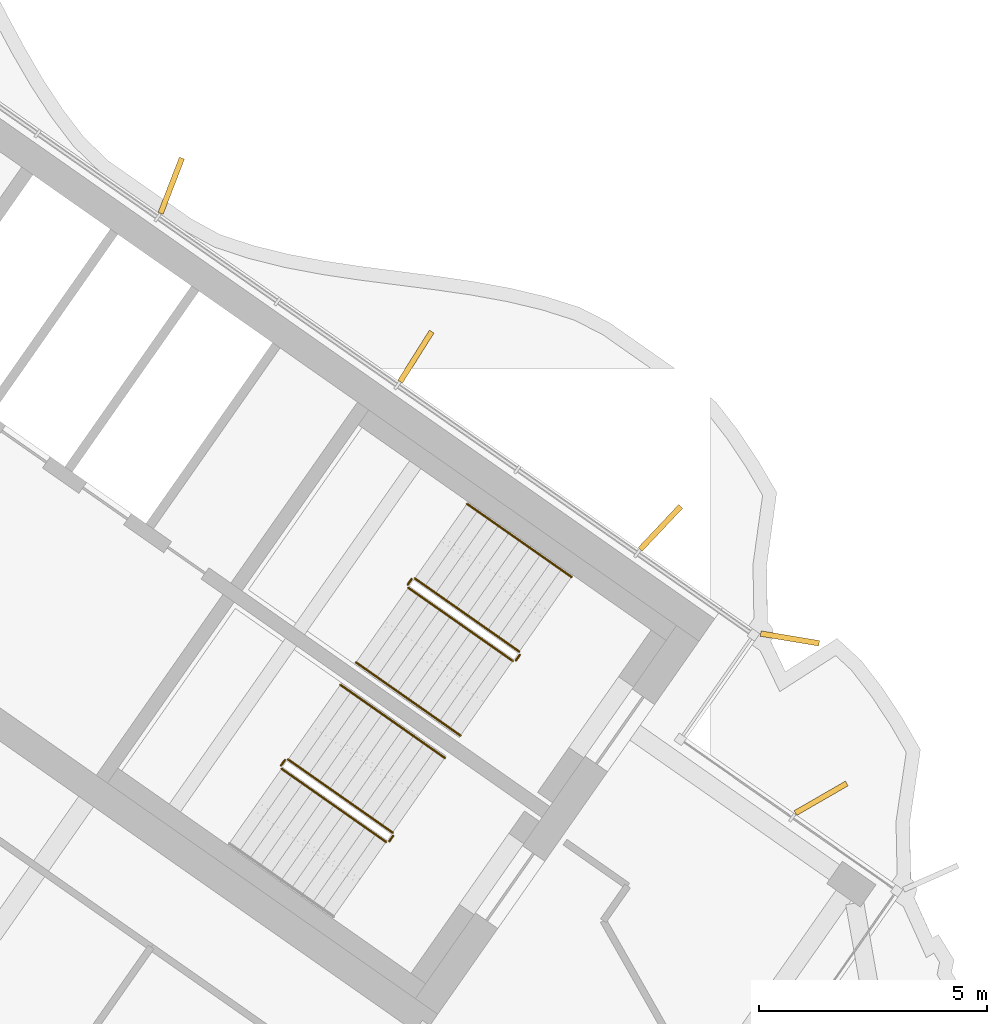
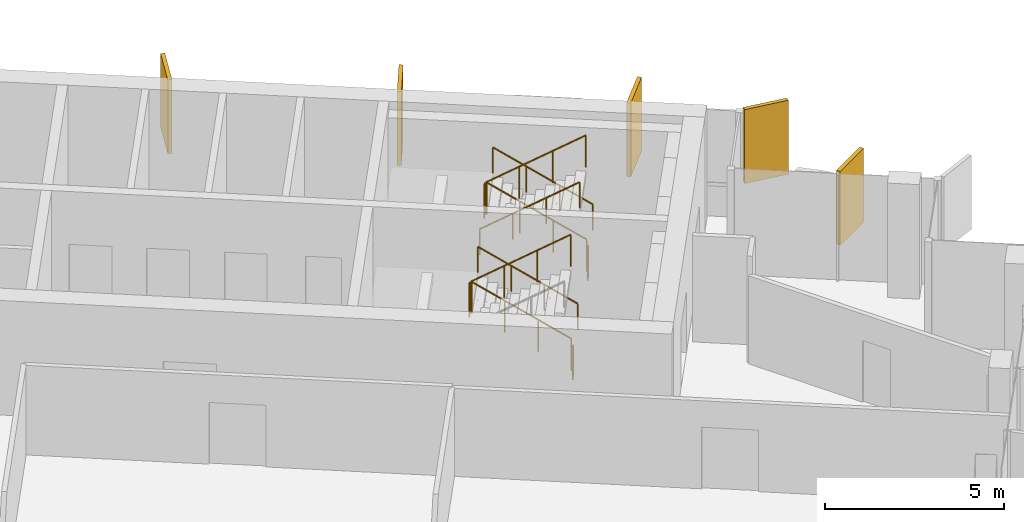
# One storey, part 18 of 19: 11 railings, 5 shading devices.
"""IFC4 building model written with IfcOpenShell, lengths in metres."""

from ifc_helpers import new_model, si_unit, direction, frame, origin, origin_2d, place, context, subcontext, project, spatial, rectangle, circle, extrude, material, layer, layer_set, type_object, element, save


model = new_model("IFC4")

# Units and contexts
model_context = context("Model", 3, precision=1e-05, world=origin(), true_north=direction((0.0, 1.0)))
body_context = subcontext(model_context, "Body", "Model", "MODEL_VIEW")
ifc_project = project(units=[si_unit("LENGTHUNIT", "METRE"), si_unit("AREAUNIT", "SQUARE_METRE"), si_unit("VOLUMEUNIT", "CUBIC_METRE"), si_unit("PLANEANGLEUNIT", "RADIAN"), si_unit("MASSUNIT", "GRAM", prefix="KILO")], contexts=[model_context])

# Site, building, storey
site_placement = place(None, origin())
site = spatial("IfcSite", under=ifc_project, at=site_placement, CompositionType="ELEMENT")
building_placement = place(site_placement, origin())
building = spatial("IfcBuilding", under=site, at=building_placement, Name="Tel Ilan Convention Tower", CompositionType="ELEMENT")
storey_placement = place(building_placement, frame((0.0, 0.0, 241.0)))
storey = spatial("IfcBuildingStorey", under=building, at=storey_placement, Name="L56", CompositionType="ELEMENT", Elevation=241.0)

# Shading devices
ifc_material_1 = material(Name="Aluminium, bronze anodised", Category="aluminium")
ifc_layer = layer(ifc_material_1, 0.1201171875)
ifc_layer_set = layer_set([ifc_layer], Name="FIN BRONZE 1300x120")
shading_device_type = type_object("IfcShadingDeviceType", Name="FIN BRONZE 1300x120", PredefinedType="USERDEFINED", material=ifc_layer_set)
for number, where, z_axis, x_axis, name in (
    (1, (29.619140625, -7.562255859375, 1.10009765625), (0.0, 0.0, 1.0), (0.986445172547, -0.16409119891, 0.0), "FIN"),
    (2, (26.77685546875, -5.13623046875, 1.10009765625), (0.0, 0.0, 1.0), (0.686241637865, 0.727373641577, 0.0), "FIN"),
    (3, (21.408935546875, -1.376953125, 1.10009765625), (0.0, 0.0, 1.0), (0.533204432798, 0.845986425922, 0.0), "FIN"),
    (4, (16.037841796875, 2.375732421875, 1.10009765625), (0.0, 0.0, 1.0), (0.360177724803, 0.932883704733, 0.0), "FIN"),
    (5, (30.305419921875, -11.07080078125, 1.10009765625), (0.0, 0.0, 1.0), (0.866025403784, 0.5, 0.0), "FIN"),
):
    element("IfcShadingDevice", number, at=place(storey_placement, frame(where, z_axis=z_axis, x_axis=x_axis)), inside=storey, type_object=shading_device_type, Name=name, ObjectType="FIN", PredefinedType="USERDEFINED", context=body_context, shape_type="SweptSolid", body=[
        extrude(rectangle(XDim=1.300048828125, YDim=0.1201171875, at=origin_2d()), origin(), (0.0, 0.0, 1.0), 2.52001953125),
    ])

# Railings
ifc_material_2 = material(Name="Stainless Steel Grade 316", Category="steel")
railing_type_1 = type_object("IfcRailingType", Name="Stainless Steel Stair Guard 1100 mm", PredefinedType="GUARDRAIL", material=ifc_material_2)
railing_1_placement = place(storey_placement, frame((23.6787109375, -7.8515625, 0.17724609375)))
element("IfcRailing", 6, at=railing_1_placement, inside=storey, type_object=railing_type_1, Name="L56 S3 stair guard 1", PredefinedType="GUARDRAIL", context=body_context, shape_type="SweptSolid", body=[
    extrude(circle(Radius=0.02392578125, at=origin_2d()), frame((0.0, 0.0, 1.076171875), z_axis=(-0.692084706163, 0.484621375041, 0.534940073605), x_axis=(-0.573591086599, -0.819141785879, 0.0)), (0.0, 0.0, 1.0), 3.313720703125),
    extrude(circle(Radius=0.02099609375, at=origin_2d()), origin(), (0.0, 0.0, 1.0), 1.052001953125),
    extrude(circle(Radius=0.02099609375, at=origin_2d()), frame((-0.764404296875, 0.535400390625, 0.5908203125)), (0.0, 0.0, 1.0), 1.052001953125),
    extrude(circle(Radius=0.02099609375, at=origin_2d()), frame((-1.529052734375, 1.070556640625, 1.181884765625)), (0.0, 0.0, 1.0), 1.052001953125),
    extrude(circle(Radius=0.02099609375, at=origin_2d()), frame((-2.29345703125, 1.60595703125, 1.772705078125)), (0.0, 0.0, 1.0), 1.052001953125),
])
railing_2_placement = place(storey_placement, frame((21.3154296875, -6.2578125, 1.949951171875)))
element("IfcRailing", 7, at=railing_2_placement, inside=storey, type_object=railing_type_1, Name="L56 S3 stair guard 2", PredefinedType="GUARDRAIL", context=body_context, shape_type="SweptSolid", body=[
    extrude(circle(Radius=0.02392578125, at=origin_2d()), frame((0.0, 0.0, 1.076171875), z_axis=(-0.573353020881, -0.819308436089, 0.0), x_axis=(0.819308436089, -0.573353020881, 0.0)), (0.0, 0.0, 1.0), 0.14990234375),
    extrude(circle(Radius=0.02099609375, at=origin_2d()), origin(), (0.0, 0.0, 1.0), 1.052001953125),
    extrude(circle(Radius=0.02099609375, at=origin_2d()), frame((-0.0859375, -0.122802734375, 0.0)), (0.0, 0.0, 1.0), 1.052001953125),
])
railing_3_placement = place(storey_placement, frame((21.24169921875, -6.4501953125, 2.127197265625)))
element("IfcRailing", 8, at=railing_3_placement, inside=storey, type_object=railing_type_1, Name="L56 S3 stair guard 3", PredefinedType="GUARDRAIL", context=body_context, shape_type="SweptSolid", body=[
    extrude(circle(Radius=0.02392578125, at=origin_2d()), frame((0.0, 0.0, 1.076171875), z_axis=(0.692098378994, -0.484653031975, 0.534893701956), x_axis=(0.573608623498, 0.819129505664, 0.0)), (0.0, 0.0, 1.0), 3.314208984375),
    extrude(circle(Radius=0.02099609375, at=origin_2d()), origin(), (0.0, 0.0, 1.0), 1.052001953125),
    extrude(circle(Radius=0.02099609375, at=origin_2d()), frame((0.7646484375, -0.535400390625, 0.5908203125)), (0.0, 0.0, 1.0), 1.052001953125),
    extrude(circle(Radius=0.02099609375, at=origin_2d()), frame((1.529052734375, -1.07080078125, 1.181884765625)), (0.0, 0.0, 1.0), 1.052001953125),
    extrude(circle(Radius=0.02099609375, at=origin_2d()), frame((2.293701171875, -1.606201171875, 1.772705078125)), (0.0, 0.0, 1.0), 1.052001953125),
])
railing_4_placement = place(storey_placement, frame((23.691162109375, -7.921142578125, 0.0)))
element("IfcRailing", 9, at=railing_4_placement, inside=storey, type_object=railing_type_1, Name="L56 S3 stair guard 4", PredefinedType="GUARDRAIL", context=body_context, shape_type="SweptSolid", body=[
    extrude(circle(Radius=0.02392578125, at=origin_2d()), frame((0.0, 0.0, 1.076171875), z_axis=(-0.574444878118, -0.818543268254, 0.0), x_axis=(0.818543268254, -0.574444878118, 0.0)), (0.0, 0.0, 1.0), 0.150146484375),
    extrude(circle(Radius=0.02099609375, at=origin_2d()), origin(), (0.0, 0.0, 1.0), 1.052001953125),
    extrude(circle(Radius=0.02099609375, at=origin_2d()), frame((-0.086181640625, -0.122802734375, 0.0)), (0.0, 0.0, 1.0), 1.052001953125),
])
railing_5_placement = place(storey_placement, frame((20.89697265625, -11.824462890625, 0.17724609375)))
element("IfcRailing", 10, at=railing_5_placement, inside=storey, type_object=railing_type_1, Name="L56 S4 stair guard 1", PredefinedType="GUARDRAIL", context=body_context, shape_type="SweptSolid", body=[
    extrude(circle(Radius=0.02392578125, at=origin_2d()), frame((0.0, 0.0, 1.076171875), z_axis=(-0.692123088272, 0.484596665743, 0.534912798717), x_axis=(-0.573550118428, -0.819170471667, 0.0)), (0.0, 0.0, 1.0), 3.31396484375),
    extrude(circle(Radius=0.02099609375, at=origin_2d()), origin(), (0.0, 0.0, 1.0), 1.052001953125),
    extrude(circle(Radius=0.02099609375, at=origin_2d()), frame((-0.7646484375, 0.535400390625, 0.5908203125)), (0.0, 0.0, 1.0), 1.052001953125),
    extrude(circle(Radius=0.02099609375, at=origin_2d()), frame((-1.529052734375, 1.070556640625, 1.181884765625)), (0.0, 0.0, 1.0), 1.052001953125),
    extrude(circle(Radius=0.02099609375, at=origin_2d()), frame((-2.293701171875, 1.60595703125, 1.772705078125)), (0.0, 0.0, 1.0), 1.052001953125),
])
railing_6_placement = place(storey_placement, frame((18.53369140625, -10.230712890625, 1.949951171875)))
element("IfcRailing", 11, at=railing_6_placement, inside=storey, type_object=railing_type_1, Name="L56 S4 stair guard 2", PredefinedType="GUARDRAIL", context=body_context, shape_type="SweptSolid", body=[
    extrude(circle(Radius=0.02392578125, at=origin_2d()), frame((0.0, 0.0, 1.076171875), z_axis=(-0.573353020881, -0.819308436089, 0.0), x_axis=(0.819308436089, -0.573353020881, 0.0)), (0.0, 0.0, 1.0), 0.14990234375),
    extrude(circle(Radius=0.02099609375, at=origin_2d()), origin(), (0.0, 0.0, 1.0), 1.052001953125),
    extrude(circle(Radius=0.02099609375, at=origin_2d()), frame((-0.0859375, -0.122802734375, 0.0)), (0.0, 0.0, 1.0), 1.052001953125),
])
railing_7_placement = place(storey_placement, frame((18.4599609375, -10.423095703125, 2.127197265625)))
element("IfcRailing", 12, at=railing_7_placement, inside=storey, type_object=railing_type_1, Name="L56 S4 stair guard 3", PredefinedType="GUARDRAIL", context=body_context, shape_type="SweptSolid", body=[
    extrude(circle(Radius=0.02392578125, at=origin_2d()), frame((0.0, 0.0, 1.076171875), z_axis=(0.692098378994, -0.484653031975, 0.534893701956), x_axis=(0.573608623498, 0.819129505664, 0.0)), (0.0, 0.0, 1.0), 3.314208984375),
    extrude(circle(Radius=0.02099609375, at=origin_2d()), origin(), (0.0, 0.0, 1.0), 1.052001953125),
    extrude(circle(Radius=0.02099609375, at=origin_2d()), frame((0.7646484375, -0.535400390625, 0.5908203125)), (0.0, 0.0, 1.0), 1.052001953125),
    extrude(circle(Radius=0.02099609375, at=origin_2d()), frame((1.529052734375, -1.07080078125, 1.181884765625)), (0.0, 0.0, 1.0), 1.052001953125),
    extrude(circle(Radius=0.02099609375, at=origin_2d()), frame((2.293701171875, -1.606201171875, 1.772705078125)), (0.0, 0.0, 1.0), 1.052001953125),
])
railing_8_placement = place(storey_placement, frame((20.9091796875, -11.89404296875, 0.0)))
element("IfcRailing", 13, at=railing_8_placement, inside=storey, type_object=railing_type_1, Name="L56 S4 stair guard 4", PredefinedType="GUARDRAIL", context=body_context, shape_type="SweptSolid", body=[
    extrude(circle(Radius=0.02392578125, at=origin_2d()), frame((0.0, 0.0, 1.076171875), z_axis=(-0.573353020881, -0.819308436089, 0.0), x_axis=(0.819308436089, -0.573353020881, 0.0)), (0.0, 0.0, 1.0), 0.14990234375),
    extrude(circle(Radius=0.02099609375, at=origin_2d()), origin(), (0.0, 0.0, 1.0), 1.052001953125),
    extrude(circle(Radius=0.02099609375, at=origin_2d()), frame((-0.0859375, -0.122802734375, 0.0)), (0.0, 0.0, 1.0), 1.052001953125),
])
ifc_material_3 = material(Name="Stainless Steel Grade 316", Category="steel")
railing_type_2 = type_object("IfcRailingType", Name="Stainless Steel Stair Handrail 900 mm", PredefinedType="HANDRAIL", material=ifc_material_3)
railing_9_placement = place(storey_placement, frame((24.825927734375, -6.213134765625, 0.17724609375)))
element("IfcRailing", 14, at=railing_9_placement, inside=storey, type_object=railing_type_2, Name="L56 S3 stair handrail 1", PredefinedType="HANDRAIL", context=body_context, shape_type="SweptSolid", body=[
    extrude(circle(Radius=0.02392578125, at=origin_2d()), frame((0.0, 0.0, 0.8759765625), z_axis=(-0.692123088272, 0.484596665743, 0.534912798717), x_axis=(-0.573550118428, -0.819170471667, 0.0)), (0.0, 0.0, 1.0), 3.31396484375),
    extrude(circle(Radius=0.02099609375, at=origin_2d()), origin(), (0.0, 0.0, 1.0), 0.851806640625),
    extrude(circle(Radius=0.02099609375, at=origin_2d()), frame((-0.7646484375, 0.535400390625, 0.5908203125)), (0.0, 0.0, 1.0), 0.851806640625),
    extrude(circle(Radius=0.02099609375, at=origin_2d()), frame((-1.529052734375, 1.070556640625, 1.181884765625)), (0.0, 0.0, 1.0), 0.851806640625),
    extrude(circle(Radius=0.02099609375, at=origin_2d()), frame((-2.293701171875, 1.60595703125, 1.772705078125)), (0.0, 0.0, 1.0), 0.851806640625),
])
railing_10_placement = place(storey_placement, frame((20.0947265625, -8.088623046875, 2.127197265625)))
element("IfcRailing", 15, at=railing_10_placement, inside=storey, type_object=railing_type_2, Name="L56 S3 stair handrail 2", PredefinedType="HANDRAIL", context=body_context, shape_type="SweptSolid", body=[
    extrude(circle(Radius=0.02392578125, at=origin_2d()), frame((0.0, 0.0, 0.8759765625), z_axis=(0.692084706163, -0.484621375041, 0.534940073605), x_axis=(0.573591086599, 0.819141785879, 0.0)), (0.0, 0.0, 1.0), 3.313720703125),
    extrude(circle(Radius=0.02099609375, at=origin_2d()), origin(), (0.0, 0.0, 1.0), 0.851806640625),
    extrude(circle(Radius=0.02099609375, at=origin_2d()), frame((0.764404296875, -0.535400390625, 0.5908203125)), (0.0, 0.0, 1.0), 0.851806640625),
    extrude(circle(Radius=0.02099609375, at=origin_2d()), frame((1.529052734375, -1.070556640625, 1.181884765625)), (0.0, 0.0, 1.0), 0.851806640625),
    extrude(circle(Radius=0.02099609375, at=origin_2d()), frame((2.29345703125, -1.60595703125, 1.772705078125)), (0.0, 0.0, 1.0), 0.851806640625),
])
railing_11_placement = place(storey_placement, frame((22.044189453125, -10.18603515625, 0.17724609375)))
element("IfcRailing", 16, at=railing_11_placement, inside=storey, type_object=railing_type_2, Name="L56 S4 stair handrail 1", PredefinedType="HANDRAIL", context=body_context, shape_type="SweptSolid", body=[
    extrude(circle(Radius=0.02392578125, at=origin_2d()), frame((0.0, 0.0, 0.8759765625), z_axis=(-0.692123088272, 0.484596665743, 0.534912798717), x_axis=(-0.573550118428, -0.819170471667, 0.0)), (0.0, 0.0, 1.0), 3.31396484375),
    extrude(circle(Radius=0.02099609375, at=origin_2d()), origin(), (0.0, 0.0, 1.0), 0.851806640625),
    extrude(circle(Radius=0.02099609375, at=origin_2d()), frame((-0.7646484375, 0.535400390625, 0.5908203125)), (0.0, 0.0, 1.0), 0.851806640625),
    extrude(circle(Radius=0.02099609375, at=origin_2d()), frame((-1.529052734375, 1.070556640625, 1.181884765625)), (0.0, 0.0, 1.0), 0.851806640625),
    extrude(circle(Radius=0.02099609375, at=origin_2d()), frame((-2.293701171875, 1.60595703125, 1.772705078125)), (0.0, 0.0, 1.0), 0.851806640625),
])

save(model, "model.ifc")
